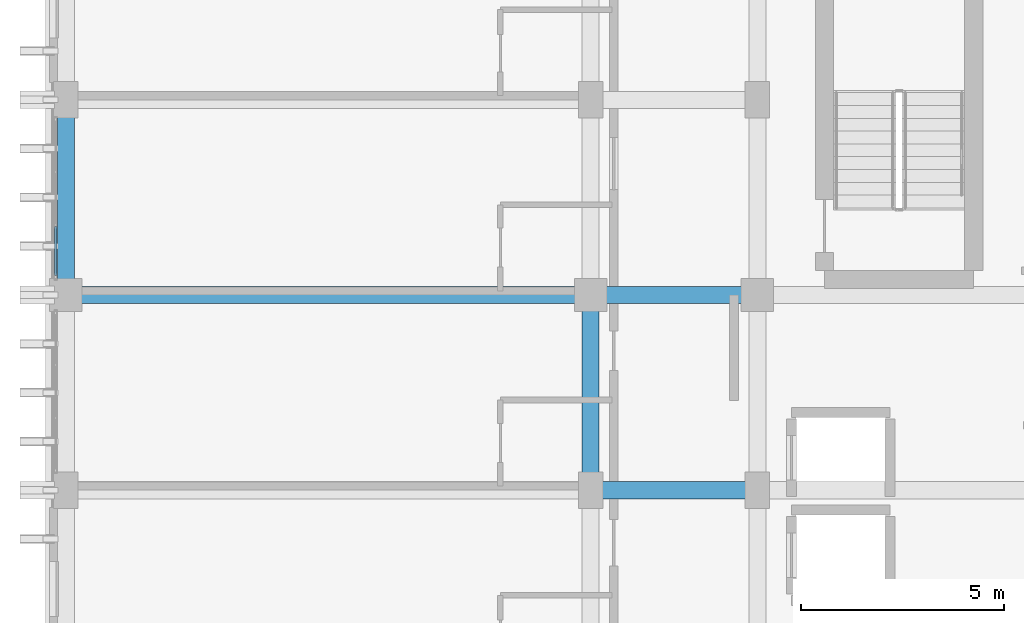
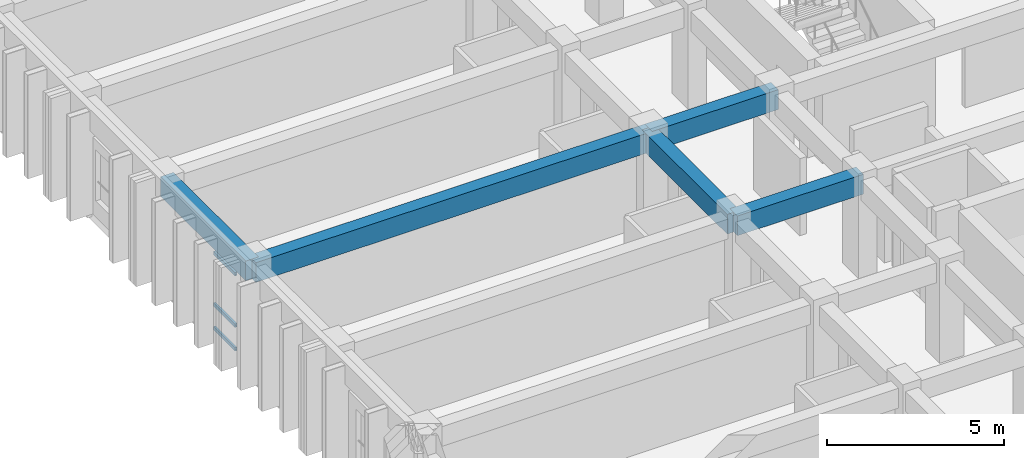
# One storey, part 14 of 82: 5 beams, 3 members, 1 element without a shape of its own.
"""IFC4 building model written with IfcOpenShell, lengths in metres."""

from ifc_helpers import new_model, si_unit, direction, frame, origin, origin_2d, place, context, subcontext, project, spatial, rectangle, hollow_rectangle, extrude, material, layer, layer_set, material_profile, profile_set, type_object, element, aggregate, save


model = new_model("IFC4")

# Units and contexts
model_context = context("Model", 3, precision=1e-05, world=origin(), true_north=direction((0.0, 1.0)))
body_context = subcontext(model_context, "Body", "Model", "MODEL_VIEW")
ifc_project = project(units=[si_unit("LENGTHUNIT", "METRE"), si_unit("AREAUNIT", "SQUARE_METRE"), si_unit("VOLUMEUNIT", "CUBIC_METRE"), si_unit("PLANEANGLEUNIT", "RADIAN"), si_unit("MASSUNIT", "GRAM", prefix="KILO")], contexts=[model_context])

# Site, building, storey
site_placement = place(None, origin())
site = spatial("IfcSite", under=ifc_project, at=site_placement, CompositionType="ELEMENT")
building_placement = place(site_placement, origin())
building = spatial("IfcBuilding", under=site, at=building_placement, Name="Nakhvara Creek Congress Hotel", CompositionType="ELEMENT")
storey_placement = place(building_placement, frame((0.0, 0.0, 21.0)))
storey = spatial("IfcBuildingStorey", under=building, at=storey_placement, Name="L04", CompositionType="ELEMENT", Elevation=21.0)

# Beams
ifc_material_1 = material(Name="Concrete C40/50", Category="concrete")
ifc_material_profile_1 = material_profile(ifc_material_1, rectangle(XDim=0.419921875, YDim=0.679931640625, at=origin_2d()), Name="RC-BM 420x680", Category="LoadBearing")
ifc_profile_set_1 = profile_set([ifc_material_profile_1], Name="Concrete C40/50")
beam_type = type_object("IfcBeamType", Name="BM-RC-420X680", PredefinedType="BEAM", material=ifc_profile_set_1)
beam_1_placement = place(storey_placement, frame((149.449951171875, 48.0, 3.0), z_axis=(1.0, 0.0, 0.0), x_axis=(0.0, 1.0, 0.0)))
element("IfcBeam", 1, at=beam_1_placement, inside=storey, type_object=beam_type, Name="Beam B11-L04-1917", PredefinedType="BEAM", context=body_context, shape_type="SweptSolid", body=[
    extrude(rectangle(XDim=0.419921875, YDim=0.679931640625, at=origin_2d()), origin(), (0.0, 0.0, 1.0), 12.900146484375),
])
beam_2_placement = place(storey_placement, frame((149.449951171875, 48.0, 3.0), z_axis=(0.0, 1.0, 0.0), x_axis=(-1.0, 0.0, 0.0)))
element("IfcBeam", 2, at=beam_2_placement, inside=storey, type_object=beam_type, Name="Beam B11-L04-1919", PredefinedType="BEAM", context=body_context, shape_type="SweptSolid", body=[
    extrude(rectangle(XDim=0.419921875, YDim=0.679931640625, at=origin_2d()), origin(), (0.0, 0.0, 1.0), 4.800048828125),
])
beam_3_placement = place(storey_placement, frame((162.35009765625, 48.0, 3.0), z_axis=(1.0, 0.0, 0.0), x_axis=(0.0, 1.0, 0.0)))
element("IfcBeam", 3, at=beam_3_placement, inside=storey, type_object=beam_type, Name="Beam B11-L04-1949", PredefinedType="BEAM", context=body_context, shape_type="SweptSolid", body=[
    extrude(rectangle(XDim=0.419921875, YDim=0.679931640625, at=origin_2d()), origin(), (0.0, 0.0, 1.0), 4.099853515625),
])
beam_4_placement = place(storey_placement, frame((162.35009765625, 43.199951171875, 3.0), z_axis=(0.0, 1.0, 0.0), x_axis=(-1.0, 0.0, 0.0)))
element("IfcBeam", 4, at=beam_4_placement, inside=storey, type_object=beam_type, Name="Beam B11-L04-1950", PredefinedType="BEAM", context=body_context, shape_type="SweptSolid", body=[
    extrude(rectangle(XDim=0.419921875, YDim=0.679931640625, at=origin_2d()), origin(), (0.0, 0.0, 1.0), 4.800048828125),
])
beam_5_placement = place(storey_placement, frame((162.35009765625, 43.199951171875, 3.0), z_axis=(1.0, 0.0, 0.0), x_axis=(0.0, 1.0, 0.0)))
element("IfcBeam", 5, at=beam_5_placement, inside=storey, type_object=beam_type, Name="Beam B11-L04-2040", PredefinedType="BEAM", context=body_context, shape_type="SweptSolid", body=[
    extrude(rectangle(XDim=0.419921875, YDim=0.679931640625, at=origin_2d()), origin(), (0.0, 0.0, 1.0), 4.099853515625),
])

# Curtain wall, members
ifc_material_2 = material(Name="Bronze-anodised aluminium AW-6063-T6 and double-silver low-E glass", Category="aluminium")
ifc_layer = layer(ifc_material_2, 0.199951171875)
ifc_layer_set = layer_set([ifc_layer], Name="Bronze-anodised aluminium AW-6063-T6 and double-silver low-E glass")
curtain_wall_type = type_object("IfcCurtainWallType", Name="CW-HTL-UNIT", PredefinedType="USERDEFINED", material=ifc_layer_set)
curtain_wall_placement = place(storey_placement, origin())
curtain_wall = element("IfcCurtainWall", 6, at=curtain_wall_placement, inside=storey, type_object=curtain_wall_type, Name="Curtain Wall CW181", ObjectType="UNITISED", PredefinedType="USERDEFINED")
ifc_material_3 = material(Name="Bronze-anodised aluminium AW-6063-T6", Category="aluminium")
ifc_material_profile_2 = material_profile(ifc_material_3, hollow_rectangle(XDim=0.06494140625, YDim=0.1201171875, WallThickness=0.00390625, at=origin_2d()), Name="ALU-TRAN 65x120x4", Category="LoadBearing")
ifc_profile_set_2 = profile_set([ifc_material_profile_2], Name="Bronze-anodised aluminium AW-6063-T6")
member_type = type_object("IfcMemberType", Name="CW-TRAN-120", PredefinedType="USERDEFINED", material=ifc_profile_set_2)
member_1_placement = place(storey_placement, frame((149.199951171875, 48.47998046875, 0.032470703125), z_axis=(0.0, 1.0, 0.0), x_axis=(-1.0, 0.0, 0.0)))
member_1 = element("IfcMember", 7, at=member_1_placement, type_object=member_type, Name="CW181 transom 1.1", ObjectType="TRANSOM", PredefinedType="USERDEFINED", context=body_context, shape_type="SweptSolid", body=[
    extrude(hollow_rectangle(XDim=0.06494140625, YDim=0.1201171875, WallThickness=0.00390625, at=origin_2d()), origin(), (0.0, 0.0, 1.0), 1.209228515625),
])
member_2_placement = place(storey_placement, frame((149.199951171875, 48.47998046875, 0.85009765625), z_axis=(0.0, 1.0, 0.0), x_axis=(-1.0, 0.0, 0.0)))
member_2 = element("IfcMember", 8, at=member_2_placement, type_object=member_type, Name="CW181 transom 1.2", ObjectType="TRANSOM", PredefinedType="USERDEFINED", context=body_context, shape_type="SweptSolid", body=[
    extrude(hollow_rectangle(XDim=0.06494140625, YDim=0.1201171875, WallThickness=0.00390625, at=origin_2d()), origin(), (0.0, 0.0, 1.0), 1.209228515625),
])
member_3_placement = place(storey_placement, frame((149.199951171875, 48.47998046875, 2.619384765625), z_axis=(0.0, 1.0, 0.0), x_axis=(-1.0, 0.0, 0.0)))
member_3 = element("IfcMember", 9, at=member_3_placement, type_object=member_type, Name="CW181 transom 1.3", ObjectType="TRANSOM", PredefinedType="USERDEFINED", context=body_context, shape_type="SweptSolid", body=[
    extrude(hollow_rectangle(XDim=0.06494140625, YDim=0.1201171875, WallThickness=0.00390625, at=origin_2d()), origin(), (0.0, 0.0, 1.0), 1.209228515625),
])
aggregate(curtain_wall, [member_1, member_2, member_3])

save(model, "model.ifc")
